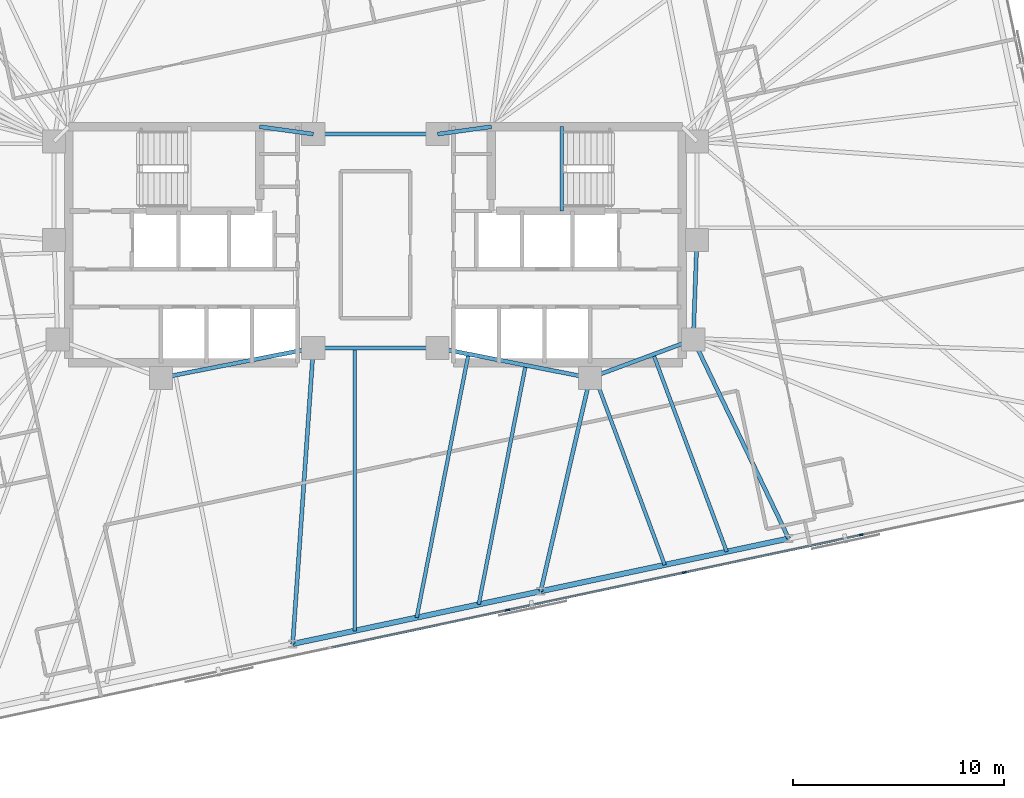
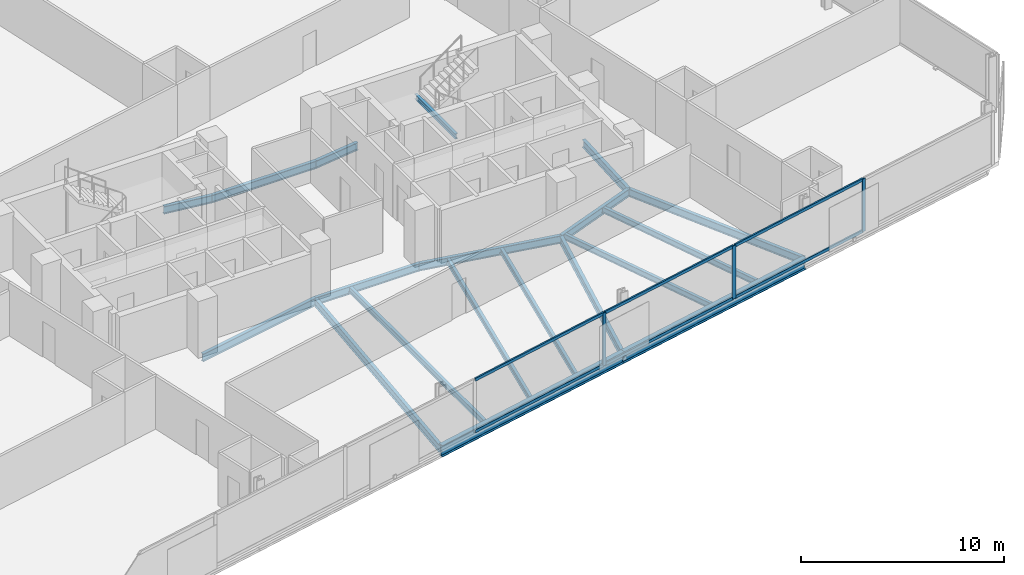
# One storey, part 7 of 19: 19 beams, 9 members, 1 element without a shape of its own.
"""IFC4 building model written with IfcOpenShell, lengths in metres."""

from ifc_helpers import new_model, si_unit, direction, frame, origin, origin_2d, place, context, subcontext, project, spatial, rectangle, i_section, extrude, material, material_profile, profile_set, type_object, element, aggregate, save


model = new_model("IFC4")

# Units and contexts
model_context = context("Model", 3, precision=1e-05, world=origin(), true_north=direction((0.0, 1.0)))
body_context = subcontext(model_context, "Body", "Model", "MODEL_VIEW")
ifc_project = project(units=[si_unit("LENGTHUNIT", "METRE"), si_unit("AREAUNIT", "SQUARE_METRE"), si_unit("VOLUMEUNIT", "CUBIC_METRE"), si_unit("PLANEANGLEUNIT", "RADIAN"), si_unit("MASSUNIT", "GRAM", prefix="KILO")], contexts=[model_context])

# Site, building, storey
site_placement = place(None, origin())
site = spatial("IfcSite", under=ifc_project, at=site_placement, CompositionType="ELEMENT")
building_placement = place(site_placement, origin())
building = spatial("IfcBuilding", under=site, at=building_placement, Name="Menara Jurai Vektor", CompositionType="ELEMENT")
storey_placement = place(building_placement, frame((0.0, 0.0, 151.39990234375)))
storey = spatial("IfcBuildingStorey", under=building, at=storey_placement, Name="L38", CompositionType="ELEMENT", Elevation=151.39990234375)

# Curtain wall, members
ifc_material_1 = material(Name="Anodised Pale Aluminium & Low-E Double Glazing", Category="aluminium")
curtain_wall_type = type_object("IfcCurtainWallType", Name="CW-BLK3", PredefinedType="NOTDEFINED", material=ifc_material_1)
curtain_wall_placement = place(storey_placement, origin())
curtain_wall = element("IfcCurtainWall", 1, at=curtain_wall_placement, inside=storey, type_object=curtain_wall_type, Name="Unitised Curtain Wall L38 F01", PredefinedType="NOTDEFINED")
ifc_material_2 = material(Name="Anodised Pale Aluminium Mullion", Category="aluminium")
ifc_material_profile_1 = material_profile(ifc_material_2, rectangle(XDim=0.0849609375, YDim=0.205078125, at=origin_2d()), Name="ALU MUL 85x205")
ifc_profile_set_1 = profile_set([ifc_material_profile_1], Name="Anodised Pale Aluminium Mullion")
member_type_1 = type_object("IfcMemberType", Name="CW-BLK3-MUL", PredefinedType="MULLION", material=ifc_profile_set_1)
member_1_placement = place(storey_placement, frame((6.264892578125, -17.338623046875, 0.0), z_axis=(0.0, 0.0, 1.0), x_axis=(-0.207911344156, 0.978147674419, 0.0)))
member_1 = element("IfcMember", 2, at=member_1_placement, type_object=member_type_1, Name="CW-03 mullion 5", PredefinedType="MULLION", context=body_context, shape_type="SweptSolid", body=[
    extrude(rectangle(XDim=0.0849609375, YDim=0.205078125, at=origin_2d()), origin(), (0.0, 0.0, 1.0), 3.175048828125),
])
member_2_placement = place(storey_placement, frame((14.65478515625, -15.55517578125, 0.0), z_axis=(0.0, 0.0, 1.0), x_axis=(-0.207911344156, 0.978147674419, 0.0)))
member_2 = element("IfcMember", 3, at=member_2_placement, type_object=member_type_1, Name="CW-03 mullion 6", PredefinedType="MULLION", context=body_context, shape_type="SweptSolid", body=[
    extrude(rectangle(XDim=0.0849609375, YDim=0.205078125, at=origin_2d()), origin(), (0.0, 0.0, 1.0), 3.175048828125),
])
member_3_placement = place(storey_placement, frame((23.04443359375, -13.77197265625, 0.0), z_axis=(0.0, 0.0, 1.0), x_axis=(-0.207911344156, 0.978147674419, 0.0)))
member_3 = element("IfcMember", 4, at=member_3_placement, type_object=member_type_1, Name="CW-03 mullion 7", PredefinedType="MULLION", context=body_context, shape_type="SweptSolid", body=[
    extrude(rectangle(XDim=0.0849609375, YDim=0.205078125, at=origin_2d()), origin(), (0.0, 0.0, 1.0), 3.175048828125),
])
ifc_material_3 = material(Name="Anodised Pale Aluminium Transom", Category="aluminium")
ifc_material_profile_2 = material_profile(ifc_material_3, rectangle(XDim=0.0849609375, YDim=0.175048828125, at=origin_2d()), Name="ALU TRN 85x175")
ifc_profile_set_2 = profile_set([ifc_material_profile_2], Name="Anodised Pale Aluminium Transom")
member_type_2 = type_object("IfcMemberType", Name="CW-BLK3-TRN", PredefinedType="USERDEFINED", material=ifc_profile_set_2)
member_4_placement = place(storey_placement, frame((-2.083251953125, -19.113037109375, 0.04248046875), z_axis=(0.978147743708, 0.207911018178, 0.0), x_axis=(-0.207911018178, 0.978147743708, 0.0)))
member_4 = element("IfcMember", 5, at=member_4_placement, type_object=member_type_2, Name="CW-03 transom 4.1", ObjectType="TRANSOM", PredefinedType="USERDEFINED", context=body_context, shape_type="SweptSolid", body=[
    extrude(rectangle(XDim=0.0849609375, YDim=0.175048828125, at=origin_2d()), origin(), (0.0, 0.0, 1.0), 8.4921875),
])
member_5_placement = place(storey_placement, frame((-2.083251953125, -19.113037109375, 3.132568359375), z_axis=(0.978147743708, 0.207911018178, 0.0), x_axis=(-0.207911018178, 0.978147743708, 0.0)))
member_5 = element("IfcMember", 6, at=member_5_placement, type_object=member_type_2, Name="CW-03 transom 4.2", ObjectType="TRANSOM", PredefinedType="USERDEFINED", context=body_context, shape_type="SweptSolid", body=[
    extrude(rectangle(XDim=0.0849609375, YDim=0.175048828125, at=origin_2d()), origin(), (0.0, 0.0, 1.0), 8.4921875),
])
member_6_placement = place(storey_placement, frame((6.306640625, -17.329833984375, 0.04248046875), z_axis=(0.978146500933, 0.207916864907, 0.0), x_axis=(-0.207916864907, 0.978146500933, 0.0)))
member_6 = element("IfcMember", 7, at=member_6_placement, type_object=member_type_2, Name="CW-03 transom 5.1", ObjectType="TRANSOM", PredefinedType="USERDEFINED", context=body_context, shape_type="SweptSolid", body=[
    extrude(rectangle(XDim=0.0849609375, YDim=0.175048828125, at=origin_2d()), origin(), (0.0, 0.0, 1.0), 8.491943359375),
])
member_7_placement = place(storey_placement, frame((6.306640625, -17.329833984375, 3.132568359375), z_axis=(0.978146500933, 0.207916864907, 0.0), x_axis=(-0.207916864907, 0.978146500933, 0.0)))
member_7 = element("IfcMember", 8, at=member_7_placement, type_object=member_type_2, Name="CW-03 transom 5.2", ObjectType="TRANSOM", PredefinedType="USERDEFINED", context=body_context, shape_type="SweptSolid", body=[
    extrude(rectangle(XDim=0.0849609375, YDim=0.175048828125, at=origin_2d()), origin(), (0.0, 0.0, 1.0), 8.491943359375),
])
member_8_placement = place(storey_placement, frame((14.6962890625, -15.54638671875, 0.04248046875), z_axis=(0.978147743708, 0.207911018178, 0.0), x_axis=(-0.207911018178, 0.978147743708, 0.0)))
member_8 = element("IfcMember", 9, at=member_8_placement, type_object=member_type_2, Name="CW-03 transom 6.1", ObjectType="TRANSOM", PredefinedType="USERDEFINED", context=body_context, shape_type="SweptSolid", body=[
    extrude(rectangle(XDim=0.0849609375, YDim=0.175048828125, at=origin_2d()), origin(), (0.0, 0.0, 1.0), 8.4921875),
])
member_9_placement = place(storey_placement, frame((14.6962890625, -15.54638671875, 3.132568359375), z_axis=(0.978147743708, 0.207911018178, 0.0), x_axis=(-0.207911018178, 0.978147743708, 0.0)))
member_9 = element("IfcMember", 10, at=member_9_placement, type_object=member_type_2, Name="CW-03 transom 6.2", ObjectType="TRANSOM", PredefinedType="USERDEFINED", context=body_context, shape_type="SweptSolid", body=[
    extrude(rectangle(XDim=0.0849609375, YDim=0.175048828125, at=origin_2d()), origin(), (0.0, 0.0, 1.0), 8.4921875),
])
aggregate(curtain_wall, [member_1, member_2, member_3, member_4, member_5, member_6, member_7, member_8, member_9])

# Beams
ifc_material_4 = material(Name="Steel S355", Category="steel")
ifc_material_profile_3 = material_profile(ifc_material_4, i_section(OverallWidth=0.19091796875, OverallDepth=0.4599609375, WebThickness=0.010009765625, FlangeThickness=0.01611328125, FilletRadius=0.010009765625, at=origin_2d()), Name="UKB 457x191x82")
ifc_profile_set_3 = profile_set([ifc_material_profile_3], Name="Steel S355")
beam_type_1 = type_object("IfcBeamType", Name="STR-BM-457", PredefinedType="BEAM", material=ifc_profile_set_3)
beam_1_placement = place(storey_placement, frame((-5.5, 5.60009765625, -0.454833984375), z_axis=(0.990706818608, -0.136014703483, 0.0), x_axis=(0.136014703483, 0.990706818608, 0.0)))
element("IfcBeam", 11, at=beam_1_placement, inside=storey, type_object=beam_type_1, Name="Core Ring Header Girder L38-CHW-N2", PredefinedType="BEAM", context=body_context, shape_type="SweptSolid", body=[
    extrude(i_section(OverallWidth=0.19091796875, OverallDepth=0.4599609375, WebThickness=0.010009765625, FlangeThickness=0.01611328125, FilletRadius=0.010009765625, at=origin_2d()), origin(), (0.0, 0.0, 1.0), 2.573974609375),
])
beam_2_placement = place(storey_placement, frame((-10.179931640625, -6.320068359375, -0.454833984375), z_axis=(0.981249044334, 0.192744164614, 0.0), x_axis=(-0.192744164614, 0.981249044334, 0.0)))
element("IfcBeam", 12, at=beam_2_placement, inside=storey, type_object=beam_type_1, Name="Core Ring Header Girder L38-CHW-S2", PredefinedType="BEAM", context=body_context, shape_type="SweptSolid", body=[
    extrude(i_section(OverallWidth=0.19091796875, OverallDepth=0.4599609375, WebThickness=0.010009765625, FlangeThickness=0.01611328125, FilletRadius=0.010009765625, at=origin_2d()), origin(), (0.0, 0.0, 1.0), 7.3681640625),
])
beam_3_placement = place(storey_placement, frame((2.949951171875, 5.25, -0.454833984375), z_axis=(0.990706818608, 0.136014703483, 0.0), x_axis=(-0.136014703483, 0.990706818608, 0.0)))
element("IfcBeam", 13, at=beam_3_placement, inside=storey, type_object=beam_type_1, Name="Core Ring Header Girder L38-CHE-N1", PredefinedType="BEAM", context=body_context, shape_type="SweptSolid", body=[
    extrude(i_section(OverallWidth=0.19091796875, OverallDepth=0.4599609375, WebThickness=0.010009765625, FlangeThickness=0.01611328125, FilletRadius=0.010009765625, at=origin_2d()), origin(), (0.0, 0.0, 1.0), 2.573974609375),
])
beam_4_placement = place(storey_placement, frame((15.080078125, -4.5, -0.454833984375), z_axis=(0.035977314146, 0.999352606874, 0.0), x_axis=(-0.999352606874, 0.035977314146, 0.0)))
element("IfcBeam", 14, at=beam_4_placement, inside=storey, type_object=beam_type_1, Name="Core Ring Header Girder L38-CHE-E2", PredefinedType="BEAM", context=body_context, shape_type="SweptSolid", body=[
    extrude(i_section(OverallWidth=0.19091796875, OverallDepth=0.4599609375, WebThickness=0.010009765625, FlangeThickness=0.01611328125, FilletRadius=0.010009765625, at=origin_2d()), origin(), (0.0, 0.0, 1.0), 4.72314453125),
])
beam_5_placement = place(storey_placement, frame((10.179931640625, -6.320068359375, -0.454833984375), z_axis=(0.937424400887, 0.348188874925, 0.0), x_axis=(-0.348188874925, 0.937424400887, 0.0)))
element("IfcBeam", 15, at=beam_5_placement, inside=storey, type_object=beam_type_1, Name="Core Ring Header Girder L38-CHE-S1", PredefinedType="BEAM", context=body_context, shape_type="SweptSolid", body=[
    extrude(i_section(OverallWidth=0.19091796875, OverallDepth=0.4599609375, WebThickness=0.010009765625, FlangeThickness=0.01611328125, FilletRadius=0.010009765625, at=origin_2d()), origin(), (0.0, 0.0, 1.0), 5.227294921875),
])
beam_6_placement = place(storey_placement, frame((2.949951171875, -4.89990234375, -0.454833984375), z_axis=(0.981249044334, -0.192744164614, 0.0), x_axis=(0.192744164614, 0.981249044334, 0.0)))
element("IfcBeam", 16, at=beam_6_placement, inside=storey, type_object=beam_type_1, Name="Core Ring Header Girder L38-CHE-S2", PredefinedType="BEAM", context=body_context, shape_type="SweptSolid", body=[
    extrude(i_section(OverallWidth=0.19091796875, OverallDepth=0.4599609375, WebThickness=0.010009765625, FlangeThickness=0.01611328125, FilletRadius=0.010009765625, at=origin_2d()), origin(), (0.0, 0.0, 1.0), 7.3681640625),
])
for number, where, z_axis, x_axis, name in (
    (17, (-2.949951171875, -4.89990234375, -0.454833984375), (1.0, 0.0, 0.0), (0.0, 1.0, 0.0), "Core Ring Header Girder L38-CC-1"),
    (18, (-2.949951171875, 5.25, -0.454833984375), (1.0, 0.0, 0.0), (0.0, 1.0, 0.0), "Core Ring Header Girder L38-CC-2"),
):
    element("IfcBeam", number, at=place(storey_placement, frame(where, z_axis=z_axis, x_axis=x_axis)), inside=storey, type_object=beam_type_1, Name=name, PredefinedType="BEAM", context=body_context, shape_type="SweptSolid", body=[
        extrude(i_section(OverallWidth=0.19091796875, OverallDepth=0.4599609375, WebThickness=0.010009765625, FlangeThickness=0.01611328125, FilletRadius=0.010009765625, at=origin_2d()), origin(), (0.0, 0.0, 1.0), 5.89990234375),
    ])
beam_7_placement = place(storey_placement, frame((-3.928466796875, -18.94287109375, -0.454833984375), z_axis=(0.06951156523, 0.997581145722, 0.0), x_axis=(-0.997581145722, 0.06951156523, 0.0)))
element("IfcBeam", 19, at=beam_7_placement, inside=storey, type_object=beam_type_1, Name="Radial Floor Girder L38-S3", PredefinedType="BEAM", context=body_context, shape_type="SweptSolid", body=[
    extrude(i_section(OverallWidth=0.19091796875, OverallDepth=0.4599609375, WebThickness=0.010009765625, FlangeThickness=0.01611328125, FilletRadius=0.010009765625, at=origin_2d()), origin(), (0.0, 0.0, 1.0), 14.076904296875),
])
beam_8_placement = place(storey_placement, frame((7.83984375, -16.44140625, -0.454833984375), z_axis=(0.225261124248, 0.974298427538, 0.0), x_axis=(-0.974298427538, 0.225261124248, 0.0)))
element("IfcBeam", 20, at=beam_8_placement, inside=storey, type_object=beam_type_1, Name="Radial Floor Girder L38-S4", PredefinedType="BEAM", context=body_context, shape_type="SweptSolid", body=[
    extrude(i_section(OverallWidth=0.19091796875, OverallDepth=0.4599609375, WebThickness=0.010009765625, FlangeThickness=0.01611328125, FilletRadius=0.010009765625, at=origin_2d()), origin(), (0.0, 0.0, 1.0), 10.388427734375),
])
beam_9_placement = place(storey_placement, frame((19.608154296875, -13.940185546875, -0.454833984375), z_axis=(-0.432481646932, 0.901642736935, 0.0), x_axis=(-0.901642736935, -0.432481646932, 0.0)))
element("IfcBeam", 21, at=beam_9_placement, inside=storey, type_object=beam_type_1, Name="Radial Floor Girder L38-S5", PredefinedType="BEAM", context=body_context, shape_type="SweptSolid", body=[
    extrude(i_section(OverallWidth=0.19091796875, OverallDepth=0.4599609375, WebThickness=0.010009765625, FlangeThickness=0.01611328125, FilletRadius=0.010009765625, at=origin_2d()), origin(), (0.0, 0.0, 1.0), 10.469970703125),
])
ifc_material_profile_4 = material_profile(ifc_material_4, i_section(OverallWidth=0.172119140625, OverallDepth=0.35498046875, WebThickness=0.007080078125, FlangeThickness=0.011962890625, FilletRadius=0.010009765625, at=origin_2d()), Name="UKB 356x171x51")
ifc_profile_set_4 = profile_set([ifc_material_profile_4], Name="Steel S355")
beam_type_2 = type_object("IfcBeamType", Name="STR-JS-356", PredefinedType="JOIST", material=ifc_profile_set_4)
beam_10_placement = place(storey_placement, frame((-0.986328125, -18.3173828125, -0.40234375), z_axis=(0.0, 1.0, 0.0), x_axis=(-1.0, 0.0, 0.0)))
element("IfcBeam", 22, at=beam_10_placement, inside=storey, type_object=beam_type_2, Name="Radial Secondary Floor Joist L38-JS05", PredefinedType="JOIST", context=body_context, shape_type="SweptSolid", body=[
    extrude(i_section(OverallWidth=0.172119140625, OverallDepth=0.35498046875, WebThickness=0.007080078125, FlangeThickness=0.011962890625, FilletRadius=0.010009765625, at=origin_2d()), origin(), (0.0, 0.0, 1.0), 13.41748046875),
])
beam_11_placement = place(storey_placement, frame((1.955810546875, -17.692138671875, -0.40234375), z_axis=(0.192721917664, 0.981253413982, 0.0), x_axis=(-0.981253413982, 0.192721917664, 0.0)))
element("IfcBeam", 23, at=beam_11_placement, inside=storey, type_object=beam_type_2, Name="Radial Secondary Floor Joist L38-JS06", PredefinedType="JOIST", context=body_context, shape_type="SweptSolid", body=[
    extrude(i_section(OverallWidth=0.172119140625, OverallDepth=0.35498046875, WebThickness=0.007080078125, FlangeThickness=0.011962890625, FilletRadius=0.010009765625, at=origin_2d()), origin(), (0.0, 0.0, 1.0), 12.744140625),
])
beam_12_placement = place(storey_placement, frame((4.897705078125, -17.06689453125, -0.40234375), z_axis=(0.19272061905, 0.981253669034, 0.0), x_axis=(-0.981253669034, 0.19272061905, 0.0)))
element("IfcBeam", 24, at=beam_12_placement, inside=storey, type_object=beam_type_2, Name="Radial Secondary Floor Joist L38-JS07", PredefinedType="JOIST", context=body_context, shape_type="SweptSolid", body=[
    extrude(i_section(OverallWidth=0.172119140625, OverallDepth=0.35498046875, WebThickness=0.007080078125, FlangeThickness=0.011962890625, FilletRadius=0.010009765625, at=origin_2d()), origin(), (0.0, 0.0, 1.0), 11.5634765625),
])
beam_13_placement = place(storey_placement, frame((13.72412109375, -15.19091796875, -0.40234375), z_axis=(-0.348196799641, 0.93742145736, 0.0), x_axis=(-0.93742145736, -0.348196799641, 0.0)))
element("IfcBeam", 25, at=beam_13_placement, inside=storey, type_object=beam_type_2, Name="Radial Secondary Floor Joist L38-JS08", PredefinedType="JOIST", context=body_context, shape_type="SweptSolid", body=[
    extrude(i_section(OverallWidth=0.172119140625, OverallDepth=0.35498046875, WebThickness=0.007080078125, FlangeThickness=0.011962890625, FilletRadius=0.010009765625, at=origin_2d()), origin(), (0.0, 0.0, 1.0), 9.5498046875),
])
beam_14_placement = place(storey_placement, frame((16.666015625, -14.5654296875, -0.40234375), z_axis=(-0.348180392292, 0.93742755156, 0.0), x_axis=(-0.93742755156, -0.348180392292, 0.0)))
element("IfcBeam", 26, at=beam_14_placement, inside=storey, type_object=beam_type_2, Name="Radial Secondary Floor Joist L38-JS09", PredefinedType="JOIST", context=body_context, shape_type="SweptSolid", body=[
    extrude(i_section(OverallWidth=0.172119140625, OverallDepth=0.35498046875, WebThickness=0.007080078125, FlangeThickness=0.011962890625, FilletRadius=0.010009765625, at=origin_2d()), origin(), (0.0, 0.0, 1.0), 9.98779296875),
])
ifc_material_profile_5 = material_profile(ifc_material_4, i_section(OverallWidth=0.1650390625, OverallDepth=0.302978515625, WebThickness=0.006103515625, FlangeThickness=0.010009765625, FilletRadius=0.009033203125, at=origin_2d()), Name="UKB 305x165x40")
ifc_profile_set_5 = profile_set([ifc_material_profile_5], Name="Steel S355")
beam_type_3 = type_object("IfcBeamType", Name="STR-LN-305", PredefinedType="LINTEL", material=ifc_profile_set_5)
beam_15_placement = place(storey_placement, frame((8.830078125, 1.60009765625, 1.3486328125), z_axis=(0.0, 1.0, 0.0), x_axis=(-1.0, 0.0, 0.0)))
element("IfcBeam", 27, at=beam_15_placement, inside=storey, type_object=beam_type_3, Name="Stair Half-Landing Nosing Trimmer ST2-1 L38", PredefinedType="LINTEL", context=body_context, shape_type="SweptSolid", body=[
    extrude(i_section(OverallWidth=0.1650390625, OverallDepth=0.302978515625, WebThickness=0.006103515625, FlangeThickness=0.010009765625, FilletRadius=0.009033203125, at=origin_2d()), origin(), (0.0, 0.0, 1.0), 4.0),
])
ifc_material_5 = material(Name="Steel S460", Category="steel")
ifc_material_profile_6 = material_profile(ifc_material_5, i_section(OverallWidth=0.256103515625, OverallDepth=0.693115234375, WebThickness=0.013916015625, FlangeThickness=0.02392578125, FilletRadius=0.014892578125, at=origin_2d()), Name="UKB 686x254x170")
ifc_profile_set_6 = profile_set([ifc_material_profile_6], Name="Steel S460")
beam_type_4 = type_object("IfcBeamType", Name="STR-SP-686", PredefinedType="SPANDREL", material=ifc_profile_set_6)
for number, where, z_axis, x_axis, name in (
    (28, (-3.928466796875, -18.94287109375, -0.5712890625), (0.978147039247, 0.207914332389, 0.0), (-0.207914332389, 0.978147039247, 0.0), "Exoskeleton Spandrel Beam L38-03"),
    (29, (7.83984375, -16.44140625, -0.5712890625), (0.978151165921, 0.207894917222, 0.0), (-0.207894917222, 0.978151165921, 0.0), "Exoskeleton Spandrel Beam L38-04"),
):
    element("IfcBeam", number, at=place(storey_placement, frame(where, z_axis=z_axis, x_axis=x_axis)), inside=storey, type_object=beam_type_4, Name=name, PredefinedType="SPANDREL", context=body_context, shape_type="SweptSolid", body=[
        extrude(i_section(OverallWidth=0.256103515625, OverallDepth=0.693115234375, WebThickness=0.013916015625, FlangeThickness=0.02392578125, FilletRadius=0.014892578125, at=origin_2d()), origin(), (0.0, 0.0, 1.0), 12.03125),
    ])

save(model, "model.ifc")
